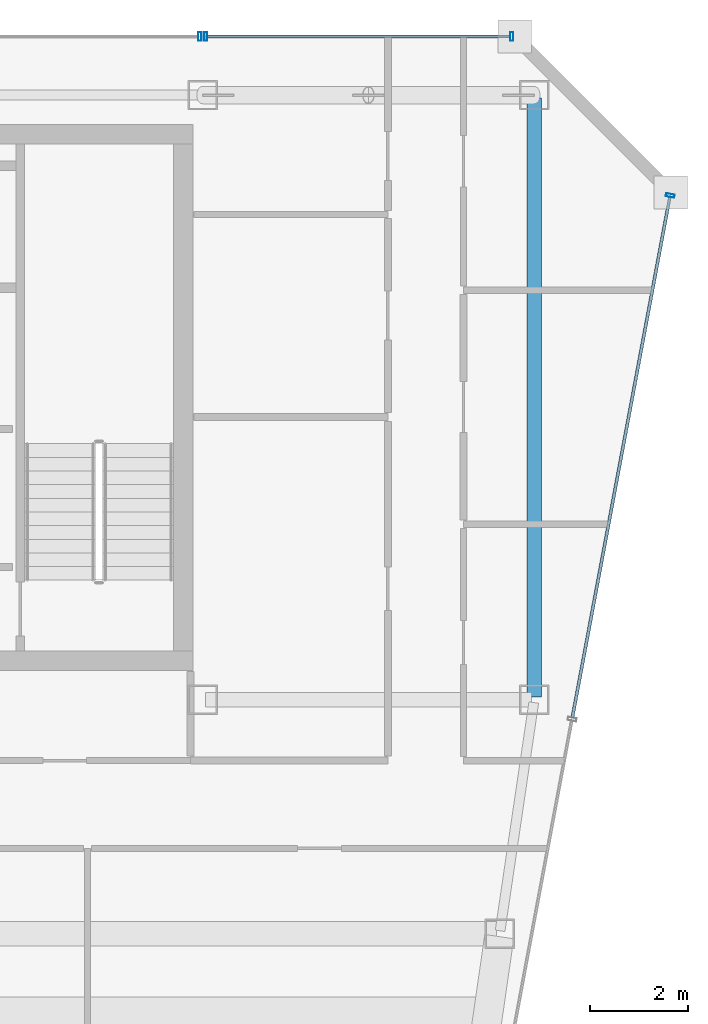
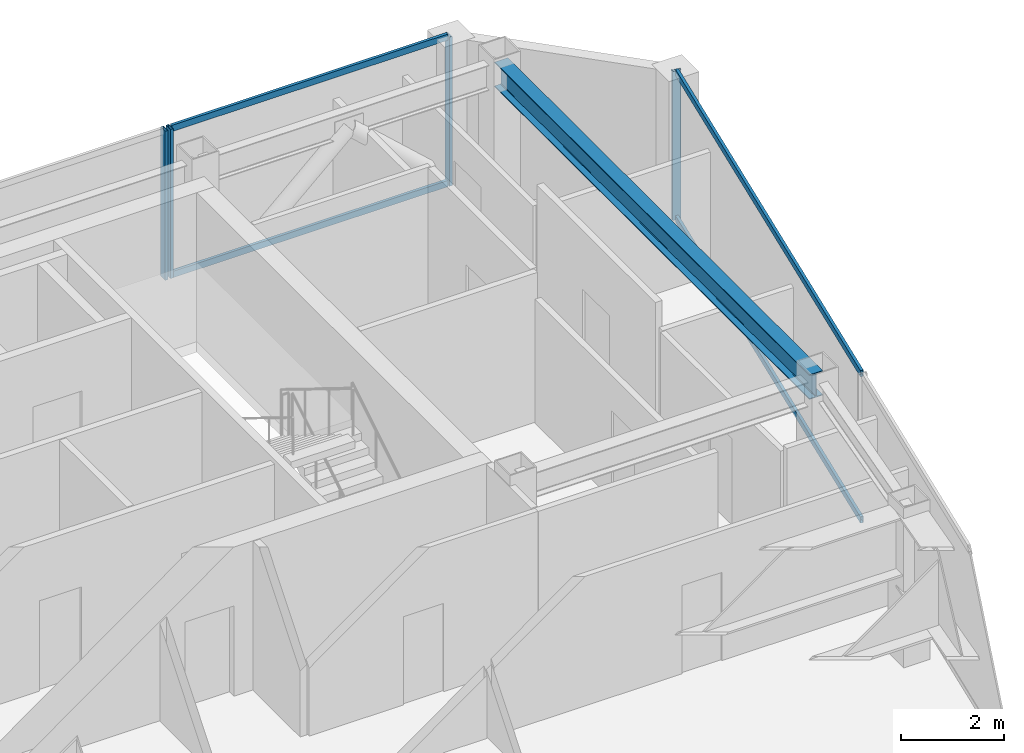
# One storey, part 17 of 23: 8 members, 1 beam, 3 elements without a shape of their own.
"""IFC4 building model written with IfcOpenShell, lengths in metres."""

from ifc_helpers import new_model, si_unit, direction, frame, origin, origin_2d, place, context, subcontext, project, spatial, hollow_rectangle, i_section, extrude, material, material_profile, profile_set, type_object, element, aggregate, save


model = new_model("IFC4")

# Units and contexts
model_context = context("Model", 3, precision=1e-05, world=origin(), true_north=direction((0.0, 1.0)))
body_context = subcontext(model_context, "Body", "Model", "MODEL_VIEW")
ifc_project = project(units=[si_unit("LENGTHUNIT", "METRE"), si_unit("AREAUNIT", "SQUARE_METRE"), si_unit("VOLUMEUNIT", "CUBIC_METRE"), si_unit("PLANEANGLEUNIT", "RADIAN"), si_unit("MASSUNIT", "GRAM", prefix="KILO")], contexts=[model_context])

# Site, building, storey
site_placement = place(None, origin())
site = spatial("IfcSite", under=ifc_project, at=site_placement, CompositionType="ELEMENT")
building_placement = place(site_placement, origin())
building = spatial("IfcBuilding", under=site, at=building_placement, Name="Saevonmaru Cultural Tower", CompositionType="ELEMENT")
storey_placement = place(building_placement, frame((0.0, 0.0, 291.39990234375)))
storey = spatial("IfcBuildingStorey", under=building, at=storey_placement, Name="L69", CompositionType="ELEMENT", Elevation=291.39990234375)

# Beam
ifc_material_1 = material(Name="Steel SM355", Category="steel")
ifc_material_profile_1 = material_profile(ifc_material_1, i_section(OverallWidth=0.300048828125, OverallDepth=0.587890625, WebThickness=0.011962890625, FlangeThickness=0.02001953125, FilletRadius=0.02392578125, at=origin_2d()), Name="H-588x300x12x20")
ifc_profile_set_1 = profile_set([ifc_material_profile_1], Name="Steel SM355")
beam_type = type_object("IfcBeamType", Name="BM-G-H588", PredefinedType="BEAM", material=ifc_profile_set_1)
beam_placement = place(storey_placement, frame((53.199951171875, 54.739990234375, 3.256103515625), z_axis=(0.0, -1.0, 0.0), x_axis=(1.0, 0.0, 0.0)))
element("IfcBeam", 1, at=beam_placement, inside=storey, type_object=beam_type, Name="L69 Spine Transverse Girder E", PredefinedType="BEAM", context=body_context, shape_type="SweptSolid", body=[
    extrude(i_section(OverallWidth=0.300048828125, OverallDepth=0.587890625, WebThickness=0.011962890625, FlangeThickness=0.02001953125, FilletRadius=0.02392578125, at=origin_2d()), origin(), (0.0, 0.0, 1.0), 12.280029296875),
])

# Curtain wall, member
ifc_material_2 = material(Name="Satin Bronze Anodised Aluminium", Category="aluminium")
curtain_wall_type = type_object("IfcCurtainWallType", Name="CW-TYP-B", PredefinedType="NOTDEFINED", material=ifc_material_2)
curtain_wall_1_placement = place(storey_placement, origin())
curtain_wall_1 = element("IfcCurtainWall", 2, at=curtain_wall_1_placement, inside=storey, type_object=curtain_wall_type, Name="L69 Unitised Curtain Wall E8", PredefinedType="NOTDEFINED")
ifc_material_profile_2 = material_profile(ifc_material_2, hollow_rectangle(XDim=0.06494140625, YDim=0.179931640625, WallThickness=0.00390625, at=origin_2d()), Name="ALU-MULL-180x65x4")
ifc_profile_set_2 = profile_set([ifc_material_profile_2], Name="Satin Bronze Anodised Aluminium")
member_type_1 = type_object("IfcMemberType", Name="ML-CW-180x65", PredefinedType="MULLION", material=ifc_profile_set_2)
member_1_placement = place(storey_placement, frame((55.989013671875, 52.740966796875, 0.0), z_axis=(0.0, 0.0, 1.0), x_axis=(0.184046528232, 0.982917532373, 0.0)))
member_1 = element("IfcMember", 3, at=member_1_placement, type_object=member_type_1, Name="CW-TW-L69-E8 mullion 3", PredefinedType="MULLION", context=body_context, shape_type="SweptSolid", body=[
    extrude(hollow_rectangle(XDim=0.06494140625, YDim=0.179931640625, WallThickness=0.00390625, at=origin_2d()), origin(), (0.0, 0.0, 1.0), 3.550048828125),
])

# Curtain wall, members
curtain_wall_2_placement = place(storey_placement, origin())
curtain_wall_2 = element("IfcCurtainWall", 4, at=curtain_wall_2_placement, inside=storey, type_object=curtain_wall_type, Name="L69 East Braced Bay Spandrel Curtain Wall E10A", PredefinedType="NOTDEFINED")
member_2_placement = place(storey_placement, frame((52.739990234375, 56.0, 0.0), z_axis=(0.0, 0.0, 1.0), x_axis=(-1.0, 0.0, 0.0)))
member_2 = element("IfcMember", 5, at=member_2_placement, type_object=member_type_1, Name="CW-TW-L69-E10A mullion 1", PredefinedType="MULLION", context=body_context, shape_type="SweptSolid", body=[
    extrude(hollow_rectangle(XDim=0.06494140625, YDim=0.179931640625, WallThickness=0.00390625, at=origin_2d()), origin(), (0.0, 0.0, 1.0), 3.550048828125),
])
member_3_placement = place(storey_placement, frame((46.4599609375, 56.0, 0.0), z_axis=(0.0, 0.0, 1.0), x_axis=(-1.0, 0.0, 0.0)))
member_3 = element("IfcMember", 6, at=member_3_placement, type_object=member_type_1, Name="CW-TW-L69-E10A mullion 2", PredefinedType="MULLION", context=body_context, shape_type="SweptSolid", body=[
    extrude(hollow_rectangle(XDim=0.06494140625, YDim=0.179931640625, WallThickness=0.00390625, at=origin_2d()), origin(), (0.0, 0.0, 1.0), 3.550048828125),
])

# Curtain wall, member
curtain_wall_3_placement = place(storey_placement, origin())
curtain_wall_3 = element("IfcCurtainWall", 7, at=curtain_wall_3_placement, inside=storey, type_object=curtain_wall_type, Name="L69 North Spine Unitised Curtain Wall E10B", PredefinedType="NOTDEFINED")
member_4_placement = place(storey_placement, frame((46.340087890625, 56.0, 0.0), z_axis=(0.0, 0.0, 1.0), x_axis=(-1.0, 0.0, 0.0)))
member_4 = element("IfcMember", 8, at=member_4_placement, type_object=member_type_1, Name="CW-TW-L69-E10B mullion 1", PredefinedType="MULLION", context=body_context, shape_type="SweptSolid", body=[
    extrude(hollow_rectangle(XDim=0.06494140625, YDim=0.179931640625, WallThickness=0.00390625, at=origin_2d()), origin(), (0.0, 0.0, 1.0), 3.550048828125),
])
aggregate(curtain_wall_3, [member_4])

# Member
ifc_material_profile_3 = material_profile(ifc_material_2, hollow_rectangle(XDim=0.06494140625, YDim=0.14990234375, WallThickness=0.00390625, at=origin_2d()), Name="ALU-TRAN-150x65x4")
ifc_profile_set_3 = profile_set([ifc_material_profile_3], Name="Satin Bronze Anodised Aluminium")
member_type_2 = type_object("IfcMemberType", Name="TR-CW-150x65", PredefinedType="USERDEFINED", material=ifc_profile_set_3)
member_5_placement = place(storey_placement, frame((53.98388671875, 42.031982421875, 0.03271484375), z_axis=(0.184029339557, 0.982920750713, 0.0), x_axis=(-0.982920750713, 0.184029339557, 0.0)))
member_5 = element("IfcMember", 9, at=member_5_placement, type_object=member_type_2, Name="CW-TW-L69-E8 transom 2.1", ObjectType="TRANSOM", PredefinedType="USERDEFINED", context=body_context, shape_type="SweptSolid", body=[
    extrude(hollow_rectangle(XDim=0.06494140625, YDim=0.14990234375, WallThickness=0.00390625, at=origin_2d()), origin(), (0.0, 0.0, 1.0), 10.862548828125),
])

member_6_placement = place(storey_placement, frame((53.98388671875, 42.031982421875, 3.517578125), z_axis=(0.184029339557, 0.982920750713, 0.0), x_axis=(-0.982920750713, 0.184029339557, 0.0)))
member_6 = element("IfcMember", 10, at=member_6_placement, type_object=member_type_2, Name="CW-TW-L69-E8 transom 2.2", ObjectType="TRANSOM", PredefinedType="USERDEFINED", context=body_context, shape_type="SweptSolid", body=[
    extrude(hollow_rectangle(XDim=0.06494140625, YDim=0.14990234375, WallThickness=0.00390625, at=origin_2d()), origin(), (0.0, 0.0, 1.0), 10.862548828125),
])

aggregate(curtain_wall_1, [member_1, member_5, member_6])

member_7_placement = place(storey_placement, frame((52.70751953125, 56.0, 0.03271484375), z_axis=(-1.0, 0.0, 0.0), x_axis=(0.0, -1.0, 0.0)))
member_7 = element("IfcMember", 11, at=member_7_placement, type_object=member_type_2, Name="CW-TW-L69-E10A transom 1.1", ObjectType="TRANSOM", PredefinedType="USERDEFINED", context=body_context, shape_type="SweptSolid", body=[
    extrude(hollow_rectangle(XDim=0.06494140625, YDim=0.14990234375, WallThickness=0.00390625, at=origin_2d()), origin(), (0.0, 0.0, 1.0), 6.215087890625),
])

member_8_placement = place(storey_placement, frame((52.70751953125, 56.0, 3.517578125), z_axis=(-1.0, 0.0, 0.0), x_axis=(0.0, -1.0, 0.0)))
member_8 = element("IfcMember", 12, at=member_8_placement, type_object=member_type_2, Name="CW-TW-L69-E10A transom 1.2", ObjectType="TRANSOM", PredefinedType="USERDEFINED", context=body_context, shape_type="SweptSolid", body=[
    extrude(hollow_rectangle(XDim=0.06494140625, YDim=0.14990234375, WallThickness=0.00390625, at=origin_2d()), origin(), (0.0, 0.0, 1.0), 6.215087890625),
])

aggregate(curtain_wall_2, [member_2, member_3, member_7, member_8])

save(model, "model.ifc")
